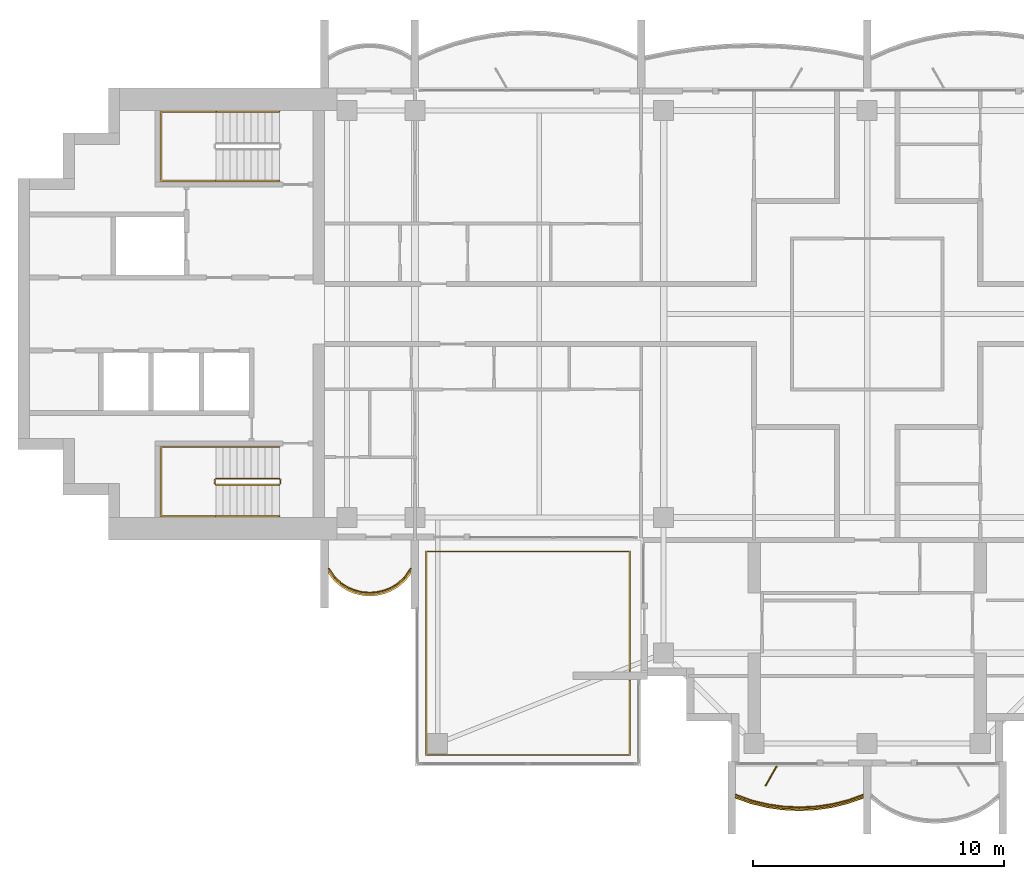
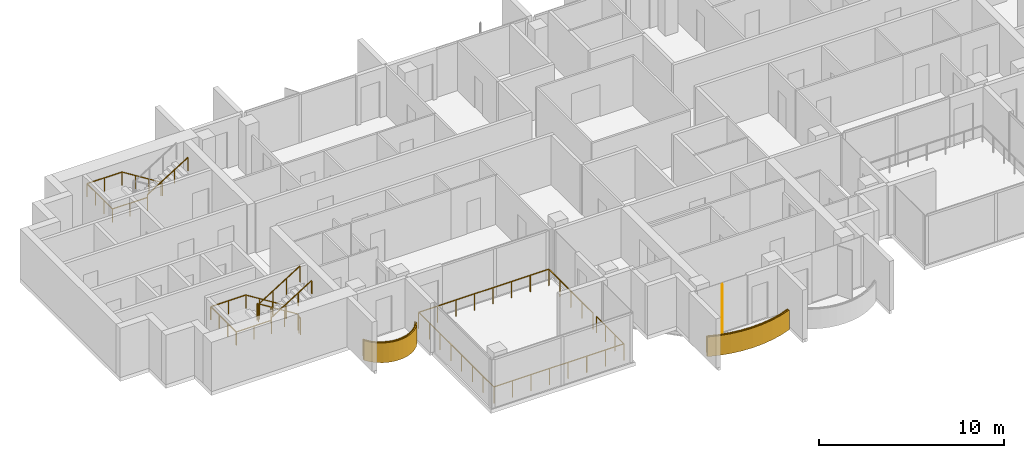
# One storey, part 13 of 16: 6 railings, 2 coverings, 1 shading device.
"""IFC4 building model written with IfcOpenShell, lengths in metres."""

from ifc_helpers import new_model, si_unit, direction, frame, origin, origin_2d, place, context, subcontext, project, spatial, polyline, rectangle, outline, extrude, material, layer, layer_set, type_object, element, save


model = new_model("IFC4")

# Units and contexts
model_context = context("Model", 3, precision=1e-05, world=origin(), true_north=direction((0.0, 1.0)))
body_context = subcontext(model_context, "Body", "Model", "MODEL_VIEW")
ifc_project = project(units=[si_unit("LENGTHUNIT", "METRE"), si_unit("AREAUNIT", "SQUARE_METRE"), si_unit("VOLUMEUNIT", "CUBIC_METRE"), si_unit("PLANEANGLEUNIT", "RADIAN"), si_unit("MASSUNIT", "GRAM", prefix="KILO")], contexts=[model_context])

# Site, building, storey
site_placement = place(None, origin())
site = spatial("IfcSite", under=ifc_project, at=site_placement, CompositionType="ELEMENT")
building_placement = place(site_placement, origin())
building = spatial("IfcBuilding", under=site, at=building_placement, Name="Perihelion Cross Residences", CompositionType="ELEMENT")
storey_placement = place(building_placement, frame((0.0, 0.0, 267.5)))
storey = spatial("IfcBuildingStorey", under=building, at=storey_placement, Name="L68", CompositionType="ELEMENT", Elevation=267.5)

# Coverings
ifc_material_1 = material(Name="Bronze anodised aluminium", Category="aluminium")
ifc_layer_1 = layer(ifc_material_1, 0.070068359375)
ifc_layer_set_1 = layer_set([ifc_layer_1], Name="Balcony fascia 1300")
covering_type = type_object("IfcCoveringType", Name="Balcony fascia 1300", PredefinedType="CLADDING", material=ifc_layer_set_1)
covering_1_placement = place(storey_placement, frame((0.0, 0.0, -0.199951171875)))
element("IfcCovering", 1, at=covering_1_placement, inside=storey, type_object=covering_type, Name="Fascia BF1 L68 west side south bay 1", PredefinedType="CLADDING", context=body_context, shape_type="SweptSolid", body=[
    extrude(outline(polyline([(-21.226318359375, -10.616455078125), (-20.94091796875, -10.86328125), (-20.655517578125, -11.031494140625), (-20.370361328125, -11.142578125), (-20.085205078125, -11.206298828125), (-19.800048828125, -11.22705078125), (-19.514892578125, -11.206298828125), (-19.229736328125, -11.142578125), (-18.9443359375, -11.031494140625), (-18.6591796875, -10.86328125), (-18.373779296875, -10.616455078125), (-18.14990234375, -10.31689453125), (-18.14990234375, -10.199951171875), (-18.425048828125, -10.568603515625), (-18.699951171875, -10.806396484375), (-18.97509765625, -10.96875), (-19.25, -11.07568359375), (-19.52490234375, -11.136962890625), (-19.800048828125, -11.156982421875), (-20.074951171875, -11.136962890625), (-20.35009765625, -11.07568359375), (-20.625, -10.96875), (-20.89990234375, -10.806396484375), (-21.175048828125, -10.568603515625), (-21.449951171875, -10.199951171875), (-21.449951171875, -10.31689453125), (-21.226318359375, -10.616455078125)])), origin(), (0.0, 0.0, 1.0), 1.300048828125),
])
covering_2_placement = place(storey_placement, frame((0.0, 0.0, -0.199951171875)))
element("IfcCovering", 2, at=covering_2_placement, inside=storey, type_object=covering_type, Name="Fascia BF1 L68 south tip south bay 1", PredefinedType="CLADDING", context=body_context, shape_type="SweptSolid", body=[
    extrude(outline(polyline([(-4.63232421875, -19.49072265625), (-3.98828125, -19.647216796875), (-3.34423828125, -19.739501953125), (-2.699951171875, -19.77001953125), (-2.055908203125, -19.739501953125), (-1.411865234375, -19.647216796875), (-0.767578125, -19.49072265625), (-0.14990234375, -19.274169921875), (-0.14990234375, -19.199951171875), (-0.78759765625, -19.423583984375), (-1.425048828125, -19.57861328125), (-2.0625, -19.669921875), (-2.699951171875, -19.699951171875), (-3.33740234375, -19.669921875), (-3.97509765625, -19.57861328125), (-4.612548828125, -19.423583984375), (-5.25, -19.199951171875), (-5.25, -19.274169921875), (-4.63232421875, -19.49072265625)])), origin(), (0.0, 0.0, 1.0), 1.300048828125),
])

# Railings
ifc_material_2 = material(Name="Bronze anodised aluminium", Category="aluminium")
railing_type_1 = type_object("IfcRailingType", Name="Balcony guard 1100", PredefinedType="GUARDRAIL", material=ifc_material_2)
railing_1_placement = place(storey_placement, frame((-21.425048828125, -10.139892578125, 0.0)))
element("IfcRailing", 3, at=railing_1_placement, inside=storey, type_object=railing_type_1, Name="Guard GU1 L68 west side south bay 1 balcony", PredefinedType="GUARDRAIL", context=body_context, shape_type="SweptSolid", body=[
    extrude(rectangle(XDim=0.048095703125, YDim=0.048095703125, at=origin_2d()), frame((0.0, 0.0, 1.076171875), z_axis=(0.561260132269, -0.827639452857, 0.0), x_axis=(0.827639452857, 0.561260132269, 0.0)), (0.0, 0.0, 1.0), 0.4453125),
    extrude(rectangle(XDim=0.048095703125, YDim=0.048095703125, at=origin_2d()), frame((0.25, -0.36865234375, 1.076171875), z_axis=(0.756596535164, -0.653882009982, 0.0), x_axis=(0.653882009982, 0.756596535164, 0.0)), (0.0, 0.0, 1.0), 0.36376953125),
    extrude(rectangle(XDim=0.048095703125, YDim=0.048095703125, at=origin_2d()), frame((0.525146484375, -0.6064453125, 1.076171875), z_axis=(0.861048292884, -0.508523192511, 0.0), x_axis=(0.508523192511, 0.861048292884, 0.0)), (0.0, 0.0, 1.0), 0.3193359375),
    extrude(rectangle(XDim=0.048095703125, YDim=0.048095703125, at=origin_2d()), frame((0.800048828125, -0.768798828125, 1.076171875), z_axis=(0.931973602183, -0.362526143656, 0.0), x_axis=(0.362526143656, 0.931973602183, 0.0)), (0.0, 0.0, 1.0), 0.294921875),
    extrude(rectangle(XDim=0.048095703125, YDim=0.048095703125, at=origin_2d()), frame((1.074951171875, -0.875732421875, 1.076171875), z_axis=(0.976085059389, -0.21738895289, 0.0), x_axis=(0.21738895289, 0.976085059389, 0.0)), (0.0, 0.0, 1.0), 0.281982421875),
    extrude(rectangle(XDim=0.048095703125, YDim=0.048095703125, at=origin_2d()), frame((1.35009765625, -0.93701171875, 1.076171875), z_axis=(0.997358821833, -0.072631814734, 0.0), x_axis=(0.072631814734, 0.997358821833, 0.0)), (0.0, 0.0, 1.0), 0.275634765625),
    extrude(rectangle(XDim=0.048095703125, YDim=0.048095703125, at=origin_2d()), frame((1.625, -0.95703125, 1.076171875), z_axis=(0.997363488337, 0.072567707226, 0.0), x_axis=(-0.072567707226, 0.997363488337, 0.0)), (0.0, 0.0, 1.0), 0.27587890625),
    extrude(rectangle(XDim=0.048095703125, YDim=0.048095703125, at=origin_2d()), frame((1.900146484375, -0.93701171875, 1.076171875), z_axis=(0.976044077717, 0.217572880557, 0.0), x_axis=(-0.217572880557, 0.976044077717, 0.0)), (0.0, 0.0, 1.0), 0.28173828125),
    extrude(rectangle(XDim=0.048095703125, YDim=0.048095703125, at=origin_2d()), frame((2.175048828125, -0.875732421875, 1.076171875), z_axis=(0.931973602183, 0.362526143656, 0.0), x_axis=(-0.362526143656, 0.931973602183, 0.0)), (0.0, 0.0, 1.0), 0.294921875),
    extrude(rectangle(XDim=0.048095703125, YDim=0.048095703125, at=origin_2d()), frame((2.449951171875, -0.768798828125, 1.076171875), z_axis=(0.861245845072, 0.508188542123, 0.0), x_axis=(-0.508188542123, 0.861245845072, 0.0)), (0.0, 0.0, 1.0), 0.319580078125),
    extrude(rectangle(XDim=0.048095703125, YDim=0.048095703125, at=origin_2d()), frame((2.72509765625, -0.6064453125, 1.076171875), z_axis=(0.756309278473, 0.654214242658, 0.0), x_axis=(-0.654214242658, 0.756309278473, 0.0)), (0.0, 0.0, 1.0), 0.363525390625),
    extrude(rectangle(XDim=0.048095703125, YDim=0.048095703125, at=origin_2d()), frame((3.0, -0.36865234375, 1.076171875), z_axis=(0.561260132269, 0.827639452857, 0.0), x_axis=(-0.827639452857, 0.561260132269, 0.0)), (0.0, 0.0, 1.0), 0.4453125),
    extrude(rectangle(XDim=0.0419921875, YDim=0.0419921875, at=origin_2d()), origin(), (0.0, 0.0, 1.0), 1.052001953125),
    extrude(rectangle(XDim=0.0419921875, YDim=0.0419921875, at=origin_2d()), frame((0.25, -0.36865234375, 0.0)), (0.0, 0.0, 1.0), 1.052001953125),
    extrude(rectangle(XDim=0.0419921875, YDim=0.0419921875, at=origin_2d()), frame((0.525146484375, -0.6064453125, 0.0)), (0.0, 0.0, 1.0), 1.052001953125),
    extrude(rectangle(XDim=0.0419921875, YDim=0.0419921875, at=origin_2d()), frame((0.800048828125, -0.768798828125, 0.0)), (0.0, 0.0, 1.0), 1.052001953125),
    extrude(rectangle(XDim=0.0419921875, YDim=0.0419921875, at=origin_2d()), frame((1.074951171875, -0.875732421875, 0.0)), (0.0, 0.0, 1.0), 1.052001953125),
    extrude(rectangle(XDim=0.0419921875, YDim=0.0419921875, at=origin_2d()), frame((1.35009765625, -0.93701171875, 0.0)), (0.0, 0.0, 1.0), 1.052001953125),
    extrude(rectangle(XDim=0.0419921875, YDim=0.0419921875, at=origin_2d()), frame((1.625, -0.95703125, 0.0)), (0.0, 0.0, 1.0), 1.052001953125),
    extrude(rectangle(XDim=0.0419921875, YDim=0.0419921875, at=origin_2d()), frame((1.900146484375, -0.93701171875, 0.0)), (0.0, 0.0, 1.0), 1.052001953125),
    extrude(rectangle(XDim=0.0419921875, YDim=0.0419921875, at=origin_2d()), frame((2.175048828125, -0.875732421875, 0.0)), (0.0, 0.0, 1.0), 1.052001953125),
    extrude(rectangle(XDim=0.0419921875, YDim=0.0419921875, at=origin_2d()), frame((2.449951171875, -0.768798828125, 0.0)), (0.0, 0.0, 1.0), 1.052001953125),
    extrude(rectangle(XDim=0.0419921875, YDim=0.0419921875, at=origin_2d()), frame((2.72509765625, -0.6064453125, 0.0)), (0.0, 0.0, 1.0), 1.052001953125),
    extrude(rectangle(XDim=0.0419921875, YDim=0.0419921875, at=origin_2d()), frame((3.0, -0.36865234375, 0.0)), (0.0, 0.0, 1.0), 1.052001953125),
    extrude(rectangle(XDim=0.0419921875, YDim=0.0419921875, at=origin_2d()), frame((3.25, 0.0, 0.0)), (0.0, 0.0, 1.0), 1.052001953125),
])
railing_2_placement = place(storey_placement, frame((-5.22509765625, -19.139892578125, 0.0)))
element("IfcRailing", 4, at=railing_2_placement, inside=storey, type_object=railing_type_1, Name="Guard GU1 L68 south tip south bay 1 balcony", PredefinedType="GUARDRAIL", context=body_context, shape_type="SweptSolid", body=[
    extrude(rectangle(XDim=0.048095703125, YDim=0.048095703125, at=origin_2d()), frame((0.0, 0.0, 1.076171875), z_axis=(0.939355405384, -0.342945217749, 0.0), x_axis=(0.342945217749, 0.939355405384, 0.0)), (0.0, 0.0, 1.0), 0.652099609375),
    extrude(rectangle(XDim=0.048095703125, YDim=0.048095703125, at=origin_2d()), frame((0.612548828125, -0.2236328125, 1.076171875), z_axis=(0.971676841941, -0.236313594268, 0.0), x_axis=(0.236313594268, 0.971676841941, 0.0)), (0.0, 0.0, 1.0), 0.656005859375),
    extrude(rectangle(XDim=0.048095703125, YDim=0.048095703125, at=origin_2d()), frame((1.25, -0.378662109375, 1.076171875), z_axis=(0.989903964498, -0.141739694763, 0.0), x_axis=(0.141739694763, 0.989903964498, 0.0)), (0.0, 0.0, 1.0), 0.644287109375),
    extrude(rectangle(XDim=0.048095703125, YDim=0.048095703125, at=origin_2d()), frame((1.8876953125, -0.469970703125, 1.076171875), z_axis=(0.998892243319, -0.04705620296, 0.0), x_axis=(0.04705620296, 0.998892243319, 0.0)), (0.0, 0.0, 1.0), 0.63818359375),
    extrude(rectangle(XDim=0.048095703125, YDim=0.048095703125, at=origin_2d()), frame((2.525146484375, -0.5, 1.076171875), z_axis=(0.998892243319, 0.04705620296, 0.0), x_axis=(-0.04705620296, 0.998892243319, 0.0)), (0.0, 0.0, 1.0), 0.63818359375),
    extrude(rectangle(XDim=0.048095703125, YDim=0.048095703125, at=origin_2d()), frame((3.16259765625, -0.469970703125, 1.076171875), z_axis=(0.989896346386, 0.141792889142, 0.0), x_axis=(-0.141792889142, 0.989896346386, 0.0)), (0.0, 0.0, 1.0), 0.64404296875),
    extrude(rectangle(XDim=0.048095703125, YDim=0.048095703125, at=origin_2d()), frame((3.800048828125, -0.378662109375, 1.076171875), z_axis=(0.971676841941, 0.236313594268, 0.0), x_axis=(-0.236313594268, 0.971676841941, 0.0)), (0.0, 0.0, 1.0), 0.656005859375),
    extrude(rectangle(XDim=0.048095703125, YDim=0.048095703125, at=origin_2d()), frame((4.4375, -0.2236328125, 1.076171875), z_axis=(0.939355405384, 0.342945217749, 0.0), x_axis=(-0.342945217749, 0.939355405384, 0.0)), (0.0, 0.0, 1.0), 0.652099609375),
    extrude(rectangle(XDim=0.0419921875, YDim=0.0419921875, at=origin_2d()), origin(), (0.0, 0.0, 1.0), 1.052001953125),
    extrude(rectangle(XDim=0.0419921875, YDim=0.0419921875, at=origin_2d()), frame((0.612548828125, -0.2236328125, 0.0)), (0.0, 0.0, 1.0), 1.052001953125),
    extrude(rectangle(XDim=0.0419921875, YDim=0.0419921875, at=origin_2d()), frame((1.25, -0.378662109375, 0.0)), (0.0, 0.0, 1.0), 1.052001953125),
    extrude(rectangle(XDim=0.0419921875, YDim=0.0419921875, at=origin_2d()), frame((1.8876953125, -0.469970703125, 0.0)), (0.0, 0.0, 1.0), 1.052001953125),
    extrude(rectangle(XDim=0.0419921875, YDim=0.0419921875, at=origin_2d()), frame((2.525146484375, -0.5, 0.0)), (0.0, 0.0, 1.0), 1.052001953125),
    extrude(rectangle(XDim=0.0419921875, YDim=0.0419921875, at=origin_2d()), frame((3.16259765625, -0.469970703125, 0.0)), (0.0, 0.0, 1.0), 1.052001953125),
    extrude(rectangle(XDim=0.0419921875, YDim=0.0419921875, at=origin_2d()), frame((3.800048828125, -0.378662109375, 0.0)), (0.0, 0.0, 1.0), 1.052001953125),
    extrude(rectangle(XDim=0.0419921875, YDim=0.0419921875, at=origin_2d()), frame((4.4375, -0.2236328125, 0.0)), (0.0, 0.0, 1.0), 1.052001953125),
    extrude(rectangle(XDim=0.0419921875, YDim=0.0419921875, at=origin_2d()), frame((5.050048828125, 0.0, 0.0)), (0.0, 0.0, 1.0), 1.052001953125),
])
railing_3_placement = place(storey_placement, frame((-9.449951171875, -14.590087890625, 0.0)))
element("IfcRailing", 5, at=railing_3_placement, inside=storey, type_object=railing_type_1, Name="Guard GU1 L68 pocket south-west 1", PredefinedType="GUARDRAIL", context=body_context, shape_type="SweptSolid", body=[
    extrude(rectangle(XDim=0.048095703125, YDim=0.048095703125, at=origin_2d()), frame((0.0, 0.0, 1.076171875), z_axis=(0.0, -1.0, 0.0), x_axis=(1.0, 0.0, 0.0)), (0.0, 0.0, 1.0), 2.9599609375),
    extrude(rectangle(XDim=0.048095703125, YDim=0.048095703125, at=origin_2d()), frame((0.0, -2.9599609375, 1.076171875), z_axis=(-1.0, 0.0, 0.0), x_axis=(0.0, -1.0, 0.0)), (0.0, 0.0, 1.0), 8.10009765625),
    extrude(rectangle(XDim=0.048095703125, YDim=0.048095703125, at=origin_2d()), frame((-8.10009765625, -2.9599609375, 1.076171875), z_axis=(0.0, 1.0, 0.0), x_axis=(-1.0, 0.0, 0.0)), (0.0, 0.0, 1.0), 8.10009765625),
    extrude(rectangle(XDim=0.048095703125, YDim=0.048095703125, at=origin_2d()), frame((-8.10009765625, 5.14013671875, 1.076171875), z_axis=(1.0, 0.0, 0.0), x_axis=(0.0, 1.0, 0.0)), (0.0, 0.0, 1.0), 8.10009765625),
    extrude(rectangle(XDim=0.048095703125, YDim=0.048095703125, at=origin_2d()), frame((0.0, 5.14013671875, 1.076171875), z_axis=(0.0, -1.0, 0.0), x_axis=(1.0, 0.0, 0.0)), (0.0, 0.0, 1.0), 4.760009765625),
    extrude(rectangle(XDim=0.0419921875, YDim=0.0419921875, at=origin_2d()), origin(), (0.0, 0.0, 1.0), 1.052001953125),
    extrude(rectangle(XDim=0.0419921875, YDim=0.0419921875, at=origin_2d()), frame((0.0, -0.986572265625, 0.0)), (0.0, 0.0, 1.0), 1.052001953125),
    extrude(rectangle(XDim=0.0419921875, YDim=0.0419921875, at=origin_2d()), frame((0.0, -1.973388671875, 0.0)), (0.0, 0.0, 1.0), 1.052001953125),
    extrude(rectangle(XDim=0.0419921875, YDim=0.0419921875, at=origin_2d()), frame((0.0, -2.9599609375, 0.0)), (0.0, 0.0, 1.0), 1.052001953125),
    extrude(rectangle(XDim=0.0419921875, YDim=0.0419921875, at=origin_2d()), frame((-1.1572265625, -2.9599609375, 0.0)), (0.0, 0.0, 1.0), 1.052001953125),
    extrude(rectangle(XDim=0.0419921875, YDim=0.0419921875, at=origin_2d()), frame((-2.314208984375, -2.9599609375, 0.0)), (0.0, 0.0, 1.0), 1.052001953125),
    extrude(rectangle(XDim=0.0419921875, YDim=0.0419921875, at=origin_2d()), frame((-3.471435546875, -2.9599609375, 0.0)), (0.0, 0.0, 1.0), 1.052001953125),
    extrude(rectangle(XDim=0.0419921875, YDim=0.0419921875, at=origin_2d()), frame((-4.628662109375, -2.9599609375, 0.0)), (0.0, 0.0, 1.0), 1.052001953125),
    extrude(rectangle(XDim=0.0419921875, YDim=0.0419921875, at=origin_2d()), frame((-5.785888671875, -2.9599609375, 0.0)), (0.0, 0.0, 1.0), 1.052001953125),
    extrude(rectangle(XDim=0.0419921875, YDim=0.0419921875, at=origin_2d()), frame((-6.94287109375, -2.9599609375, 0.0)), (0.0, 0.0, 1.0), 1.052001953125),
    extrude(rectangle(XDim=0.0419921875, YDim=0.0419921875, at=origin_2d()), frame((-8.10009765625, -2.9599609375, 0.0)), (0.0, 0.0, 1.0), 1.052001953125),
    extrude(rectangle(XDim=0.0419921875, YDim=0.0419921875, at=origin_2d()), frame((-8.10009765625, -1.802734375, 0.0)), (0.0, 0.0, 1.0), 1.052001953125),
    extrude(rectangle(XDim=0.0419921875, YDim=0.0419921875, at=origin_2d()), frame((-8.10009765625, -0.645751953125, 0.0)), (0.0, 0.0, 1.0), 1.052001953125),
    extrude(rectangle(XDim=0.0419921875, YDim=0.0419921875, at=origin_2d()), frame((-8.10009765625, 0.511474609375, 0.0)), (0.0, 0.0, 1.0), 1.052001953125),
    extrude(rectangle(XDim=0.0419921875, YDim=0.0419921875, at=origin_2d()), frame((-8.10009765625, 1.668701171875, 0.0)), (0.0, 0.0, 1.0), 1.052001953125),
    extrude(rectangle(XDim=0.0419921875, YDim=0.0419921875, at=origin_2d()), frame((-8.10009765625, 2.825927734375, 0.0)), (0.0, 0.0, 1.0), 1.052001953125),
    extrude(rectangle(XDim=0.0419921875, YDim=0.0419921875, at=origin_2d()), frame((-8.10009765625, 3.98291015625, 0.0)), (0.0, 0.0, 1.0), 1.052001953125),
    extrude(rectangle(XDim=0.0419921875, YDim=0.0419921875, at=origin_2d()), frame((-8.10009765625, 5.14013671875, 0.0)), (0.0, 0.0, 1.0), 1.052001953125),
    extrude(rectangle(XDim=0.0419921875, YDim=0.0419921875, at=origin_2d()), frame((-6.94287109375, 5.14013671875, 0.0)), (0.0, 0.0, 1.0), 1.052001953125),
    extrude(rectangle(XDim=0.0419921875, YDim=0.0419921875, at=origin_2d()), frame((-5.785888671875, 5.14013671875, 0.0)), (0.0, 0.0, 1.0), 1.052001953125),
    extrude(rectangle(XDim=0.0419921875, YDim=0.0419921875, at=origin_2d()), frame((-4.628662109375, 5.14013671875, 0.0)), (0.0, 0.0, 1.0), 1.052001953125),
    extrude(rectangle(XDim=0.0419921875, YDim=0.0419921875, at=origin_2d()), frame((-3.471435546875, 5.14013671875, 0.0)), (0.0, 0.0, 1.0), 1.052001953125),
    extrude(rectangle(XDim=0.0419921875, YDim=0.0419921875, at=origin_2d()), frame((-2.314208984375, 5.14013671875, 0.0)), (0.0, 0.0, 1.0), 1.052001953125),
    extrude(rectangle(XDim=0.0419921875, YDim=0.0419921875, at=origin_2d()), frame((-1.1572265625, 5.14013671875, 0.0)), (0.0, 0.0, 1.0), 1.052001953125),
    extrude(rectangle(XDim=0.0419921875, YDim=0.0419921875, at=origin_2d()), frame((0.0, 5.14013671875, 0.0)), (0.0, 0.0, 1.0), 1.052001953125),
    extrude(rectangle(XDim=0.0419921875, YDim=0.0419921875, at=origin_2d()), frame((0.0, 3.9501953125, 0.0)), (0.0, 0.0, 1.0), 1.052001953125),
    extrude(rectangle(XDim=0.0419921875, YDim=0.0419921875, at=origin_2d()), frame((0.0, 2.76025390625, 0.0)), (0.0, 0.0, 1.0), 1.052001953125),
    extrude(rectangle(XDim=0.0419921875, YDim=0.0419921875, at=origin_2d()), frame((0.0, 1.570068359375, 0.0)), (0.0, 0.0, 1.0), 1.052001953125),
    extrude(rectangle(XDim=0.0419921875, YDim=0.0419921875, at=origin_2d()), frame((0.0, 0.380126953125, 0.0)), (0.0, 0.0, 1.0), 1.052001953125),
])

# Shading device
ifc_material_3 = material(Name="Bronze anodised aluminium", Category="aluminium")
ifc_layer_2 = layer(ifc_material_3, 0.050048828125)
ifc_layer_set_2 = layer_set([ifc_layer_2], Name="Bronze fin 900")
shading_device_type = type_object("IfcShadingDeviceType", Name="Bronze fin 900", PredefinedType="USERDEFINED", material=ifc_layer_set_2)
shading_device_placement = place(storey_placement, frame((-3.824951171875, -18.3896484375, 0.0), z_axis=(0.0, 0.0, 1.0), x_axis=(-0.5, -0.866025403784, 0.0)))
element("IfcShadingDevice", 6, at=shading_device_placement, inside=storey, type_object=shading_device_type, Name="Fin FN1 L68 south tip south bay 1", ObjectType="FIN", PredefinedType="USERDEFINED", context=body_context, shape_type="SweptSolid", body=[
    extrude(rectangle(XDim=0.89990234375, YDim=0.050048828125, at=origin_2d()), origin(), (0.0, 0.0, 1.0), 3.25),
])

# Railings
ifc_material_4 = material(Name="Stainless steel", Category="steel")
railing_type_2 = type_object("IfcRailingType", Name="Stair guard 1100", PredefinedType="GUARDRAIL", material=ifc_material_4)
railing_4_placement = place(storey_placement, frame((-23.35009765625, -6.75, 0.0)))
element("IfcRailing", 7, at=railing_4_placement, inside=storey, type_object=railing_type_2, Name="L68 ST-W2 stair guard 1", PredefinedType="GUARDRAIL", context=body_context, shape_type="SweptSolid", body=[
    extrude(rectangle(XDim=0.048095703125, YDim=0.048095703125, at=origin_2d()), frame((0.0, 0.0, 1.076171875), z_axis=(0.0, 1.0, 0.0), x_axis=(-1.0, 0.0, 0.0)), (0.0, 0.0, 1.0), 0.14990234375),
    extrude(rectangle(XDim=0.048095703125, YDim=0.048095703125, at=origin_2d()), frame((0.0, 0.14990234375, 1.076171875), z_axis=(-0.263862480399, 0.265155923931, 0.927399011991), x_axis=(-0.708833529934, -0.705375805398, 0.0)), (0.0, 0.0, 1.0), 0.188720703125),
    extrude(rectangle(XDim=0.048095703125, YDim=0.048095703125, at=origin_2d()), frame((-0.0498046875, 0.199951171875, 1.2509765625), z_axis=(-0.848007534815, 0.0, 0.529984170421), x_axis=(0.0, -1.0, 0.0)), (0.0, 0.0, 1.0), 2.9716796875),
    extrude(rectangle(XDim=0.048095703125, YDim=0.048095703125, at=origin_2d()), frame((-2.56982421875, 0.199951171875, 2.826171875), z_axis=(-0.707106781187, -0.707106781187, 0.0), x_axis=(0.707106781187, -0.707106781187, 0.0)), (0.0, 0.0, 1.0), 0.07080078125),
    extrude(rectangle(XDim=0.048095703125, YDim=0.048095703125, at=origin_2d()), frame((-2.619873046875, 0.14990234375, 2.826171875), z_axis=(0.0, -1.0, 0.0), x_axis=(1.0, 0.0, 0.0)), (0.0, 0.0, 1.0), 0.14990234375),
    extrude(rectangle(XDim=0.048095703125, YDim=0.048095703125, at=origin_2d()), frame((-2.619873046875, 0.0, 2.826171875), z_axis=(0.265065253269, -0.265065253269, 0.927081885822), x_axis=(0.707106781187, 0.707106781187, 0.0)), (0.0, 0.0, 1.0), 0.188720703125),
    extrude(rectangle(XDim=0.048095703125, YDim=0.048095703125, at=origin_2d()), frame((-2.56982421875, -0.050048828125, 3.0009765625), z_axis=(0.848007534815, 0.0, 0.529984170421), x_axis=(0.0, 1.0, 0.0)), (0.0, 0.0, 1.0), 2.9716796875),
    extrude(rectangle(XDim=0.0419921875, YDim=0.0419921875, at=origin_2d()), origin(), (0.0, 0.0, 1.0), 1.052001953125),
    extrude(rectangle(XDim=0.0419921875, YDim=0.0419921875, at=origin_2d()), frame((0.0, 0.14990234375, 0.0)), (0.0, 0.0, 1.0), 1.052001953125),
    extrude(rectangle(XDim=0.0419921875, YDim=0.0419921875, at=origin_2d()), frame((-0.0498046875, 0.199951171875, 0.175048828125)), (0.0, 0.0, 1.0), 1.052001953125),
    extrude(rectangle(XDim=0.0419921875, YDim=0.0419921875, at=origin_2d()), frame((-0.889892578125, 0.199951171875, 0.699951171875)), (0.0, 0.0, 1.0), 1.052001953125),
    extrude(rectangle(XDim=0.0419921875, YDim=0.0419921875, at=origin_2d()), frame((-1.729736328125, 0.199951171875, 1.22509765625)), (0.0, 0.0, 1.0), 1.052001953125),
    extrude(rectangle(XDim=0.0419921875, YDim=0.0419921875, at=origin_2d()), frame((-2.56982421875, 0.199951171875, 1.75)), (0.0, 0.0, 1.0), 1.052001953125),
    extrude(rectangle(XDim=0.0419921875, YDim=0.0419921875, at=origin_2d()), frame((-2.619873046875, 0.14990234375, 1.75)), (0.0, 0.0, 1.0), 1.052001953125),
    extrude(rectangle(XDim=0.0419921875, YDim=0.0419921875, at=origin_2d()), frame((-2.619873046875, 0.0, 1.75)), (0.0, 0.0, 1.0), 1.052001953125),
    extrude(rectangle(XDim=0.0419921875, YDim=0.0419921875, at=origin_2d()), frame((-2.56982421875, -0.050048828125, 1.925048828125)), (0.0, 0.0, 1.0), 1.052001953125),
    extrude(rectangle(XDim=0.0419921875, YDim=0.0419921875, at=origin_2d()), frame((-1.729736328125, -0.050048828125, 2.449951171875)), (0.0, 0.0, 1.0), 1.052001953125),
    extrude(rectangle(XDim=0.0419921875, YDim=0.0419921875, at=origin_2d()), frame((-0.889892578125, -0.050048828125, 2.97509765625)), (0.0, 0.0, 1.0), 1.052001953125),
    extrude(rectangle(XDim=0.0419921875, YDim=0.0419921875, at=origin_2d()), frame((-0.0498046875, -0.050048828125, 3.5)), (0.0, 0.0, 1.0), 1.052001953125),
])
ifc_material_5 = material(Name="Stainless steel", Category="steel")
railing_type_3 = type_object("IfcRailingType", Name="Stair handrail 900", PredefinedType="HANDRAIL", material=ifc_material_5)
railing_5_placement = place(storey_placement, frame((-23.39990234375, 8.050048828125, 0.175048828125)))
element("IfcRailing", 8, at=railing_5_placement, inside=storey, type_object=railing_type_3, Name="L68 ST-W1 stair handrail 1", PredefinedType="HANDRAIL", context=body_context, shape_type="SweptSolid", body=[
    extrude(rectangle(XDim=0.048095703125, YDim=0.048095703125, at=origin_2d()), frame((0.0, 0.0, 0.8759765625), z_axis=(-0.848007534815, 0.0, 0.529984170421), x_axis=(0.0, -1.0, 0.0)), (0.0, 0.0, 1.0), 2.9716796875),
    extrude(rectangle(XDim=0.048095703125, YDim=0.048095703125, at=origin_2d()), frame((-2.52001953125, 0.0, 2.45068359375), z_axis=(-1.0, 0.0, 0.0), x_axis=(0.0, -1.0, 0.0)), (0.0, 0.0, 1.0), 2.18017578125),
    extrude(rectangle(XDim=0.048095703125, YDim=0.048095703125, at=origin_2d()), frame((-4.7001953125, 0.0, 2.45068359375), z_axis=(0.0, -1.0, 0.0), x_axis=(1.0, 0.0, 0.0)), (0.0, 0.0, 1.0), 2.75),
    extrude(rectangle(XDim=0.048095703125, YDim=0.048095703125, at=origin_2d()), frame((-4.7001953125, -2.75, 2.45068359375), z_axis=(1.0, 0.0, 0.0), x_axis=(0.0, 1.0, 0.0)), (0.0, 0.0, 1.0), 2.18017578125),
    extrude(rectangle(XDim=0.048095703125, YDim=0.048095703125, at=origin_2d()), frame((-2.52001953125, -2.75, 2.45068359375), z_axis=(0.0, 0.0, 1.0), x_axis=(1.0, 0.0, 0.0)), (0.0, 0.0, 1.0), 0.175048828125),
    extrude(rectangle(XDim=0.048095703125, YDim=0.048095703125, at=origin_2d()), frame((-2.52001953125, -2.75, 2.6259765625), z_axis=(0.848007534815, 0.0, 0.529984170421), x_axis=(0.0, 1.0, 0.0)), (0.0, 0.0, 1.0), 2.9716796875),
    extrude(rectangle(XDim=0.0419921875, YDim=0.0419921875, at=origin_2d()), origin(), (0.0, 0.0, 1.0), 0.851806640625),
    extrude(rectangle(XDim=0.0419921875, YDim=0.0419921875, at=origin_2d()), frame((-0.840087890625, 0.0, 0.52490234375)), (0.0, 0.0, 1.0), 0.851806640625),
    extrude(rectangle(XDim=0.0419921875, YDim=0.0419921875, at=origin_2d()), frame((-1.679931640625, 0.0, 1.050048828125)), (0.0, 0.0, 1.0), 0.851806640625),
    extrude(rectangle(XDim=0.0419921875, YDim=0.0419921875, at=origin_2d()), frame((-2.52001953125, 0.0, 1.574951171875)), (0.0, 0.0, 1.0), 0.851806640625),
    extrude(rectangle(XDim=0.0419921875, YDim=0.0419921875, at=origin_2d()), frame((-3.610107421875, 0.0, 1.574951171875)), (0.0, 0.0, 1.0), 0.851806640625),
    extrude(rectangle(XDim=0.0419921875, YDim=0.0419921875, at=origin_2d()), frame((-4.7001953125, 0.0, 1.574951171875)), (0.0, 0.0, 1.0), 0.851806640625),
    extrude(rectangle(XDim=0.0419921875, YDim=0.0419921875, at=origin_2d()), frame((-4.7001953125, -0.916748046875, 1.574951171875)), (0.0, 0.0, 1.0), 0.851806640625),
    extrude(rectangle(XDim=0.0419921875, YDim=0.0419921875, at=origin_2d()), frame((-4.7001953125, -1.833251953125, 1.574951171875)), (0.0, 0.0, 1.0), 0.851806640625),
    extrude(rectangle(XDim=0.0419921875, YDim=0.0419921875, at=origin_2d()), frame((-4.7001953125, -2.75, 1.574951171875)), (0.0, 0.0, 1.0), 0.851806640625),
    extrude(rectangle(XDim=0.0419921875, YDim=0.0419921875, at=origin_2d()), frame((-3.610107421875, -2.75, 1.574951171875)), (0.0, 0.0, 1.0), 0.851806640625),
    extrude(rectangle(XDim=0.0419921875, YDim=0.0419921875, at=origin_2d()), frame((-2.52001953125, -2.75, 1.574951171875)), (0.0, 0.0, 1.0), 0.851806640625),
    extrude(rectangle(XDim=0.0419921875, YDim=0.0419921875, at=origin_2d()), frame((-2.52001953125, -2.75, 1.75)), (0.0, 0.0, 1.0), 0.851806640625),
    extrude(rectangle(XDim=0.0419921875, YDim=0.0419921875, at=origin_2d()), frame((-1.679931640625, -2.75, 2.27490234375)), (0.0, 0.0, 1.0), 0.851806640625),
    extrude(rectangle(XDim=0.0419921875, YDim=0.0419921875, at=origin_2d()), frame((-0.840087890625, -2.75, 2.800048828125)), (0.0, 0.0, 1.0), 0.851806640625),
    extrude(rectangle(XDim=0.0419921875, YDim=0.0419921875, at=origin_2d()), frame((0.0, -2.75, 3.324951171875)), (0.0, 0.0, 1.0), 0.851806640625),
])
railing_6_placement = place(storey_placement, frame((-23.39990234375, -5.300048828125, 0.175048828125)))
element("IfcRailing", 9, at=railing_6_placement, inside=storey, type_object=railing_type_3, Name="L68 ST-W2 stair handrail 1", PredefinedType="HANDRAIL", context=body_context, shape_type="SweptSolid", body=[
    extrude(rectangle(XDim=0.048095703125, YDim=0.048095703125, at=origin_2d()), frame((0.0, 0.0, 0.8759765625), z_axis=(-0.848007534815, 0.0, 0.529984170421), x_axis=(0.0, -1.0, 0.0)), (0.0, 0.0, 1.0), 2.9716796875),
    extrude(rectangle(XDim=0.048095703125, YDim=0.048095703125, at=origin_2d()), frame((-2.52001953125, 0.0, 2.45068359375), z_axis=(-1.0, 0.0, 0.0), x_axis=(0.0, -1.0, 0.0)), (0.0, 0.0, 1.0), 2.18017578125),
    extrude(rectangle(XDim=0.048095703125, YDim=0.048095703125, at=origin_2d()), frame((-4.7001953125, 0.0, 2.45068359375), z_axis=(0.0, -1.0, 0.0), x_axis=(1.0, 0.0, 0.0)), (0.0, 0.0, 1.0), 2.75),
    extrude(rectangle(XDim=0.048095703125, YDim=0.048095703125, at=origin_2d()), frame((-4.7001953125, -2.75, 2.45068359375), z_axis=(1.0, 0.0, 0.0), x_axis=(0.0, 1.0, 0.0)), (0.0, 0.0, 1.0), 2.18017578125),
    extrude(rectangle(XDim=0.048095703125, YDim=0.048095703125, at=origin_2d()), frame((-2.52001953125, -2.75, 2.45068359375), z_axis=(0.0, 0.0, 1.0), x_axis=(1.0, 0.0, 0.0)), (0.0, 0.0, 1.0), 0.175048828125),
    extrude(rectangle(XDim=0.048095703125, YDim=0.048095703125, at=origin_2d()), frame((-2.52001953125, -2.75, 2.6259765625), z_axis=(0.848007534815, 0.0, 0.529984170421), x_axis=(0.0, 1.0, 0.0)), (0.0, 0.0, 1.0), 2.9716796875),
    extrude(rectangle(XDim=0.0419921875, YDim=0.0419921875, at=origin_2d()), origin(), (0.0, 0.0, 1.0), 0.851806640625),
    extrude(rectangle(XDim=0.0419921875, YDim=0.0419921875, at=origin_2d()), frame((-0.840087890625, 0.0, 0.52490234375)), (0.0, 0.0, 1.0), 0.851806640625),
    extrude(rectangle(XDim=0.0419921875, YDim=0.0419921875, at=origin_2d()), frame((-1.679931640625, 0.0, 1.050048828125)), (0.0, 0.0, 1.0), 0.851806640625),
    extrude(rectangle(XDim=0.0419921875, YDim=0.0419921875, at=origin_2d()), frame((-2.52001953125, 0.0, 1.574951171875)), (0.0, 0.0, 1.0), 0.851806640625),
    extrude(rectangle(XDim=0.0419921875, YDim=0.0419921875, at=origin_2d()), frame((-3.610107421875, 0.0, 1.574951171875)), (0.0, 0.0, 1.0), 0.851806640625),
    extrude(rectangle(XDim=0.0419921875, YDim=0.0419921875, at=origin_2d()), frame((-4.7001953125, 0.0, 1.574951171875)), (0.0, 0.0, 1.0), 0.851806640625),
    extrude(rectangle(XDim=0.0419921875, YDim=0.0419921875, at=origin_2d()), frame((-4.7001953125, -0.916748046875, 1.574951171875)), (0.0, 0.0, 1.0), 0.851806640625),
    extrude(rectangle(XDim=0.0419921875, YDim=0.0419921875, at=origin_2d()), frame((-4.7001953125, -1.833251953125, 1.574951171875)), (0.0, 0.0, 1.0), 0.851806640625),
    extrude(rectangle(XDim=0.0419921875, YDim=0.0419921875, at=origin_2d()), frame((-4.7001953125, -2.75, 1.574951171875)), (0.0, 0.0, 1.0), 0.851806640625),
    extrude(rectangle(XDim=0.0419921875, YDim=0.0419921875, at=origin_2d()), frame((-3.610107421875, -2.75, 1.574951171875)), (0.0, 0.0, 1.0), 0.851806640625),
    extrude(rectangle(XDim=0.0419921875, YDim=0.0419921875, at=origin_2d()), frame((-2.52001953125, -2.75, 1.574951171875)), (0.0, 0.0, 1.0), 0.851806640625),
    extrude(rectangle(XDim=0.0419921875, YDim=0.0419921875, at=origin_2d()), frame((-2.52001953125, -2.75, 1.75)), (0.0, 0.0, 1.0), 0.851806640625),
    extrude(rectangle(XDim=0.0419921875, YDim=0.0419921875, at=origin_2d()), frame((-1.679931640625, -2.75, 2.27490234375)), (0.0, 0.0, 1.0), 0.851806640625),
    extrude(rectangle(XDim=0.0419921875, YDim=0.0419921875, at=origin_2d()), frame((-0.840087890625, -2.75, 2.800048828125)), (0.0, 0.0, 1.0), 0.851806640625),
    extrude(rectangle(XDim=0.0419921875, YDim=0.0419921875, at=origin_2d()), frame((0.0, -2.75, 3.324951171875)), (0.0, 0.0, 1.0), 0.851806640625),
])

save(model, "model.ifc")
